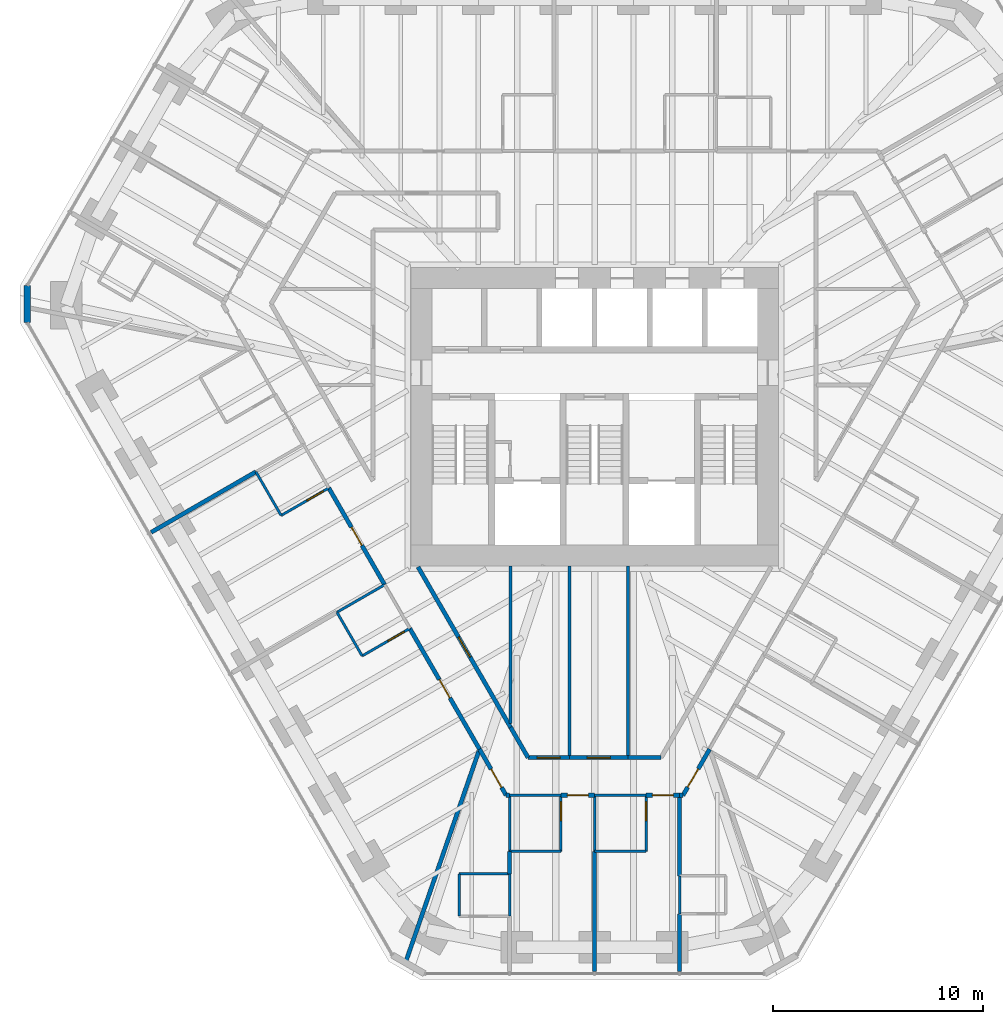
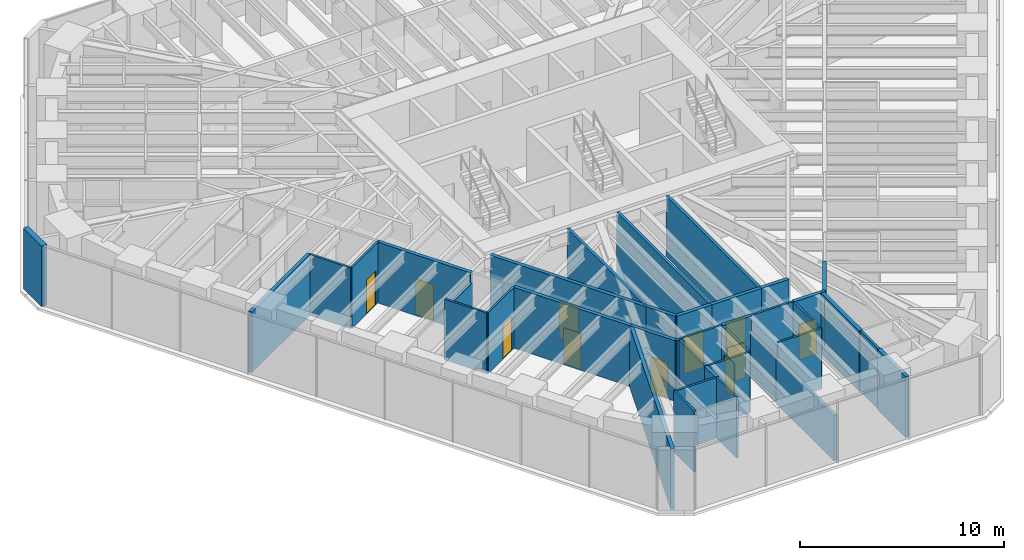
# One storey, part 11 of 17: 40 walls, 13 doors, 13 openings.
"""IFC4 building model written with IfcOpenShell, lengths in metres."""

from ifc_helpers import new_model, si_unit, direction, frame, frame_2d, origin, place, context, subcontext, project, spatial, rectangle, extrude, material, layer, layer_set, type_object, element, fill, save


model = new_model("IFC4")

# Units and contexts
model_context = context("Model", 3, precision=1e-05, world=origin(), true_north=direction((0.0, 1.0)))
body_context = subcontext(model_context, "Body", "Model", "MODEL_VIEW")
ifc_project = project(units=[si_unit("LENGTHUNIT", "METRE"), si_unit("AREAUNIT", "SQUARE_METRE"), si_unit("VOLUMEUNIT", "CUBIC_METRE"), si_unit("PLANEANGLEUNIT", "RADIAN"), si_unit("MASSUNIT", "GRAM", prefix="KILO")], contexts=[model_context])

# Site, building, storey
site_placement = place(None, origin())
site = spatial("IfcSite", under=ifc_project, at=site_placement, CompositionType="ELEMENT")
building_placement = place(site_placement, origin())
building = spatial("IfcBuilding", under=site, at=building_placement, Name="Sandreach Pilgrim Tower", CompositionType="ELEMENT")
storey_placement = place(building_placement, frame((0.0, 0.0, 198.39990234375)))
storey = spatial("IfcBuildingStorey", under=building, at=storey_placement, Name="L49", CompositionType="ELEMENT", Elevation=198.39990234375)

# Walls
ifc_material_1 = material(Name="Gypsum board on steel studs", Category="steel")
ifc_layer_1 = layer(ifc_material_1, 0.14990234375)
ifc_layer_set_1 = layer_set([ifc_layer_1], Name="Back of house wall 150")
wall_type_1 = type_object("IfcWallType", Name="Back of house wall 150", PredefinedType="PARTITIONING", material=ifc_layer_set_1)
wall_1_placement = place(storey_placement, frame((-4.0, -7.10009765625, 0.0), z_axis=(0.0, 0.0, 1.0), x_axis=(0.0, -1.0, 0.0)))
element("IfcWall", 1, at=wall_1_placement, inside=storey, type_object=wall_type_1, Name="Back of house wall L49-074", PredefinedType="PARTITIONING", context=body_context, shape_type="SweptSolid", body=[
    extrude(rectangle(XDim=7.514892578125, YDim=0.14990234375, at=frame_2d((3.75732421875, 0.0))), origin(), (0.0, 0.0, 1.0), 3.64013671875),
])
for number, where, z_axis, x_axis, name in (
    (2, (-1.199951171875, -7.10009765625, 0.0), (0.0, 0.0, 1.0), (0.0, -1.0, 0.0), "Back of house wall L49-083"),
    (3, (1.60009765625, -7.10009765625, 0.0), (0.0, 0.0, 1.0), (0.0, -1.0, 0.0), "Back of house wall L49-089"),
):
    element("IfcWall", number, at=place(storey_placement, frame(where, z_axis=z_axis, x_axis=x_axis)), inside=storey, type_object=wall_type_1, Name=name, PredefinedType="PARTITIONING", context=body_context, shape_type="SweptSolid", body=[
        extrude(rectangle(XDim=9.1298828125, YDim=0.14990234375, at=frame_2d((4.56494140625, 0.0))), origin(), (0.0, 0.0, 1.0), 3.64013671875),
    ])
ifc_material_2 = material(Name="Moisture-resistant gypsum board on steel studs", Category="steel")
ifc_layer_2 = layer(ifc_material_2, 0.1201171875)
ifc_layer_set_2 = layer_set([ifc_layer_2], Name="Bathroom partition 120")
wall_type_2 = type_object("IfcWallType", Name="Bathroom partition 120", PredefinedType="PARTITIONING", material=ifc_layer_set_2)
wall_2_placement = place(storey_placement, frame((-16.1298828125, -2.6201171875, 0.0), z_axis=(0.0, 0.0, 1.0), x_axis=(0.499737123639, -0.866177122335, 0.0)))
element("IfcWall", 4, at=wall_2_placement, inside=storey, type_object=wall_type_2, Name="Bathroom partition L49-028", PredefinedType="PARTITIONING", context=body_context, shape_type="SweptSolid", body=[
    extrude(rectangle(XDim=2.401123046875, YDim=0.1201171875, at=frame_2d((1.20068359375, 0.0))), origin(), (0.0, 0.0, 1.0), 3.64013671875),
])

# Wall, opening, door
wall_3_placement = place(storey_placement, frame((-14.929931640625, -4.699951171875, 0.0), z_axis=(0.0, 0.0, 1.0), x_axis=(0.866114241029, 0.499846097802, 0.0)))
wall_3 = element("IfcWall", 5, at=wall_3_placement, inside=storey, type_object=wall_type_2, Name="Bathroom partition L49-038", PredefinedType="PARTITIONING", context=body_context, shape_type="SweptSolid", body=[
    extrude(rectangle(XDim=2.620849609375, YDim=0.1201171875, at=frame_2d((1.310546875, 0.0))), origin(), (0.0, 0.0, 1.0), 3.64013671875),
])
opening_1_placement = place(wall_3_placement, frame((1.4208984375, 0.0, 0.0)))
opening_1 = element("IfcOpeningElement", 6, at=opening_1_placement, cuts=wall_3, Name="Opening D09-15B", PredefinedType="OPENING", context=body_context, shape_type="SweptSolid", body=[
    extrude(rectangle(XDim=0.89990234375, YDim=2.030029296875, at=frame_2d((0.449951171875, 1.01513671875))), frame((0.0, 0.06005859375, 0.0), z_axis=(0.0, -1.0, 0.0), x_axis=(1.0, 0.0, 0.0)), (0.0, 0.0, 1.0), 0.1201171875),
])
ifc_material_3 = material(Name="Timber door, steel frame", Category="steel")
door_type_1 = type_object("IfcDoorType", Name="Bathroom door", OperationType="SINGLE_SWING_LEFT", PredefinedType="DOOR", material=ifc_material_3)
door_1_placement = place(opening_1_placement, origin())
door_1 = element("IfcDoor", 7, at=door_1_placement, inside=storey, type_object=door_type_1, Name="Door 4915B", OperationType="SINGLE_SWING_RIGHT", OverallHeight=2.030029296875, OverallWidth=0.89990234375, PredefinedType="DOOR", context=body_context, shape_type="SweptSolid", body=[
    extrude(rectangle(XDim=0.89990234375, YDim=2.030029296875, at=frame_2d((0.449951171875, 1.01513671875))), frame((0.0, 0.02490234375, 0.0), z_axis=(0.0, -1.0, 0.0), x_axis=(1.0, 0.0, 0.0)), (0.0, 0.0, 1.0), 0.050048828125),
])
fill(opening_1, door_1)

# Walls
wall_4_placement = place(storey_placement, frame((-12.27001953125, -9.31005859375, 0.0), z_axis=(0.0, 0.0, 1.0), x_axis=(0.499737123639, -0.866177122335, 0.0)))
element("IfcWall", 8, at=wall_4_placement, inside=storey, type_object=wall_type_2, Name="Bathroom partition L49-045", PredefinedType="PARTITIONING", context=body_context, shape_type="SweptSolid", body=[
    extrude(rectangle(XDim=2.401123046875, YDim=0.1201171875, at=frame_2d((1.20068359375, 0.0))), origin(), (0.0, 0.0, 1.0), 3.64013671875),
])
wall_5_placement = place(storey_placement, frame((-12.27001953125, -9.31005859375, 0.0), z_axis=(0.0, 0.0, 1.0), x_axis=(0.866114241029, 0.499846097802, 0.0)))
element("IfcWall", 9, at=wall_5_placement, inside=storey, type_object=wall_type_2, Name="Bathroom partition L49-046", PredefinedType="PARTITIONING", context=body_context, shape_type="SweptSolid", body=[
    extrude(rectangle(XDim=2.620849609375, YDim=0.1201171875, at=frame_2d((1.310546875, 0.0))), origin(), (0.0, 0.0, 1.0), 3.0380859375),
])

# Wall, opening, door
wall_6_placement = place(storey_placement, frame((-11.070068359375, -11.389892578125, 0.0), z_axis=(0.0, 0.0, 1.0), x_axis=(0.866154567199, 0.49977621564, 0.0)))
wall_6 = element("IfcWall", 10, at=wall_6_placement, inside=storey, type_object=wall_type_2, Name="Bathroom partition L49-047", PredefinedType="PARTITIONING", context=body_context, shape_type="SweptSolid", body=[
    extrude(rectangle(XDim=2.620849609375, YDim=0.1201171875, at=frame_2d((1.310546875, 0.0))), origin(), (0.0, 0.0, 1.0), 3.64013671875),
])
opening_2_placement = place(wall_6_placement, frame((1.4208984375, 0.0, 0.0)))
opening_2 = element("IfcOpeningElement", 11, at=opening_2_placement, cuts=wall_6, Name="Opening D09-14B", PredefinedType="OPENING", context=body_context, shape_type="SweptSolid", body=[
    extrude(rectangle(XDim=0.89990234375, YDim=2.030029296875, at=frame_2d((0.449951171875, 1.01513671875))), frame((0.0, 0.06005859375, 0.0), z_axis=(0.0, -1.0, 0.0), x_axis=(1.0, 0.0, 0.0)), (0.0, 0.0, 1.0), 0.1201171875),
])
door_2_placement = place(opening_2_placement, origin())
door_2 = element("IfcDoor", 12, at=door_2_placement, inside=storey, type_object=door_type_1, Name="Door 4914B", OperationType="SINGLE_SWING_RIGHT", OverallHeight=2.030029296875, OverallWidth=0.89990234375, PredefinedType="DOOR", context=body_context, shape_type="SweptSolid", body=[
    extrude(rectangle(XDim=0.89990234375, YDim=2.030029296875, at=frame_2d((0.449951171875, 1.01513671875))), frame((0.0, 0.02490234375, 0.0), z_axis=(0.0, -1.0, 0.0), x_axis=(1.0, 0.0, 0.0)), (0.0, 0.0, 1.0), 0.050048828125),
])
fill(opening_2, door_2)

# Walls
for number, where, z_axis, x_axis, name in (
    (13, (-6.449951171875, -21.77001953125, 0.0), (0.0, 0.0, 1.0), (0.0, -1.0, 0.0), "Bathroom partition L49-059"),
    (14, (-4.050048828125, -23.780029296875, 0.0), (0.0, 0.0, 1.0), (0.0, 1.0, 0.0), "Bathroom partition L49-067"),
):
    element("IfcWall", number, at=place(storey_placement, frame(where, z_axis=z_axis, x_axis=x_axis)), inside=storey, type_object=wall_type_2, Name=name, PredefinedType="PARTITIONING", context=body_context, shape_type="SweptSolid", body=[
        extrude(rectangle(XDim=2.010009765625, YDim=0.1201171875, at=frame_2d((1.0048828125, 0.0))), origin(), (0.0, 0.0, 1.0), 3.64013671875),
    ])
wall_7_placement = place(storey_placement, frame((-4.050048828125, -21.77001953125, 0.0), z_axis=(0.0, 0.0, 1.0), x_axis=(-1.0, 0.0, 0.0)))
element("IfcWall", 15, at=wall_7_placement, inside=storey, type_object=wall_type_2, Name="Bathroom partition L49-068", PredefinedType="PARTITIONING", context=body_context, shape_type="SweptSolid", body=[
    extrude(rectangle(XDim=2.39990234375, YDim=0.1201171875, at=frame_2d((1.199951171875, 0.0))), origin(), (0.0, 0.0, 1.0), 3.64013671875),
])
wall_8_placement = place(storey_placement, frame((-4.050048828125, -20.699951171875, 0.0), z_axis=(0.0, 0.0, 1.0), x_axis=(0.0, 1.0, 0.0)))
element("IfcWall", 16, at=wall_8_placement, inside=storey, type_object=wall_type_2, Name="Bathroom partition L49-070", PredefinedType="PARTITIONING", context=body_context, shape_type="SweptSolid", body=[
    extrude(rectangle(XDim=2.669921875, YDim=0.1201171875, at=frame_2d((1.3349609375, 0.0))), origin(), (0.0, 0.0, 1.0), 3.64013671875),
])
for number, where, z_axis, x_axis, name in (
    (17, (-4.050048828125, -20.699951171875, 0.0), (0.0, 0.0, 1.0), (1.0, 0.0, 0.0), "Bathroom partition L49-071"),
    (18, (-4.050048828125, -18.030029296875, 0.0), (0.0, 0.0, 1.0), (1.0, 0.0, 0.0), "Bathroom partition L49-072"),
):
    element("IfcWall", number, at=place(storey_placement, frame(where, z_axis=z_axis, x_axis=x_axis)), inside=storey, type_object=wall_type_2, Name=name, PredefinedType="PARTITIONING", context=body_context, shape_type="SweptSolid", body=[
        extrude(rectangle(XDim=2.449951171875, YDim=0.1201171875, at=frame_2d((1.22509765625, 0.0))), origin(), (0.0, 0.0, 1.0), 3.64013671875),
    ])

# Wall, opening, door
wall_9_placement = place(storey_placement, frame((-1.60009765625, -20.699951171875, 0.0), z_axis=(0.0, 0.0, 1.0), x_axis=(0.0, 1.0, 0.0)))
wall_9 = element("IfcWall", 19, at=wall_9_placement, inside=storey, type_object=wall_type_2, Name="Bathroom partition L49-080", PredefinedType="PARTITIONING", context=body_context, shape_type="SweptSolid", body=[
    extrude(rectangle(XDim=2.669921875, YDim=0.1201171875, at=frame_2d((1.3349609375, 0.0))), origin(), (0.0, 0.0, 1.0), 3.64013671875),
])
opening_3_placement = place(wall_9_placement, frame((1.469970703125, 0.0, 0.0)))
opening_3 = element("IfcOpeningElement", 20, at=opening_3_placement, cuts=wall_9, Name="Opening D09-12B", PredefinedType="OPENING", context=body_context, shape_type="SweptSolid", body=[
    extrude(rectangle(XDim=0.89990234375, YDim=2.030029296875, at=frame_2d((0.449951171875, 1.01513671875))), frame((0.0, 0.06005859375, 0.0), z_axis=(0.0, -1.0, 0.0), x_axis=(1.0, 0.0, 0.0)), (0.0, 0.0, 1.0), 0.1201171875),
])
door_3_placement = place(opening_3_placement, origin())
door_3 = element("IfcDoor", 21, at=door_3_placement, inside=storey, type_object=door_type_1, Name="Door 4912B", OperationType="SINGLE_SWING_RIGHT", OverallHeight=2.030029296875, OverallWidth=0.89990234375, PredefinedType="DOOR", context=body_context, shape_type="SweptSolid", body=[
    extrude(rectangle(XDim=0.89990234375, YDim=2.030029296875, at=frame_2d((0.449951171875, 1.01513671875))), frame((0.0, 0.02490234375, 0.0), z_axis=(0.0, -1.0, 0.0), x_axis=(1.0, 0.0, 0.0)), (0.0, 0.0, 1.0), 0.050048828125),
])
fill(opening_3, door_3)

# Walls
wall_10_placement = place(storey_placement, frame((0.0, -20.699951171875, 0.0), z_axis=(0.0, 0.0, 1.0), x_axis=(0.0, 1.0, 0.0)))
element("IfcWall", 22, at=wall_10_placement, inside=storey, type_object=wall_type_2, Name="Bathroom partition L49-085", PredefinedType="PARTITIONING", context=body_context, shape_type="SweptSolid", body=[
    extrude(rectangle(XDim=2.669921875, YDim=0.1201171875, at=frame_2d((1.3349609375, 0.0))), origin(), (0.0, 0.0, 1.0), 2.7255859375),
])
for number, where, z_axis, x_axis, name in (
    (23, (0.0, -20.699951171875, 0.0), (0.0, 0.0, 1.0), (1.0, 0.0, 0.0), "Bathroom partition L49-086"),
    (24, (0.0, -18.030029296875, 0.0), (0.0, 0.0, 1.0), (1.0, 0.0, 0.0), "Bathroom partition L49-087"),
):
    element("IfcWall", number, at=place(storey_placement, frame(where, z_axis=z_axis, x_axis=x_axis)), inside=storey, type_object=wall_type_2, Name=name, PredefinedType="PARTITIONING", context=body_context, shape_type="SweptSolid", body=[
        extrude(rectangle(XDim=2.449951171875, YDim=0.1201171875, at=frame_2d((1.22509765625, 0.0))), origin(), (0.0, 0.0, 1.0), 3.64013671875),
    ])

# Wall, opening, door
wall_11_placement = place(storey_placement, frame((2.449951171875, -20.699951171875, 0.0), z_axis=(0.0, 0.0, 1.0), x_axis=(0.0, 1.0, 0.0)))
wall_11 = element("IfcWall", 25, at=wall_11_placement, inside=storey, type_object=wall_type_2, Name="Bathroom partition L49-090", PredefinedType="PARTITIONING", context=body_context, shape_type="SweptSolid", body=[
    extrude(rectangle(XDim=2.669921875, YDim=0.1201171875, at=frame_2d((1.3349609375, 0.0))), origin(), (0.0, 0.0, 1.0), 3.64013671875),
])
opening_4_placement = place(wall_11_placement, frame((1.469970703125, 0.0, 0.0)))
opening_4 = element("IfcOpeningElement", 26, at=opening_4_placement, cuts=wall_11, Name="Opening D09-11B", PredefinedType="OPENING", context=body_context, shape_type="SweptSolid", body=[
    extrude(rectangle(XDim=0.89990234375, YDim=2.030029296875, at=frame_2d((0.449951171875, 1.01513671875))), frame((0.0, 0.06005859375, 0.0), z_axis=(0.0, -1.0, 0.0), x_axis=(1.0, 0.0, 0.0)), (0.0, 0.0, 1.0), 0.1201171875),
])
door_4_placement = place(opening_4_placement, origin())
door_4 = element("IfcDoor", 27, at=door_4_placement, inside=storey, type_object=door_type_1, Name="Door 4911B", OperationType="SINGLE_SWING_RIGHT", OverallHeight=2.030029296875, OverallWidth=0.89990234375, PredefinedType="DOOR", context=body_context, shape_type="SweptSolid", body=[
    extrude(rectangle(XDim=0.89990234375, YDim=2.030029296875, at=frame_2d((0.449951171875, 1.01513671875))), frame((0.0, 0.02490234375, 0.0), z_axis=(0.0, -1.0, 0.0), x_axis=(1.0, 0.0, 0.0)), (0.0, 0.0, 1.0), 0.050048828125),
])
fill(opening_4, door_4)

# Wall
wall_12_placement = place(storey_placement, frame((4.050048828125, -23.679931640625, 0.0), z_axis=(0.0, 0.0, 1.0), x_axis=(0.0, 1.0, 0.0)))
element("IfcWall", 28, at=wall_12_placement, inside=storey, type_object=wall_type_2, Name="Bathroom partition L49-096", PredefinedType="PARTITIONING", context=body_context, shape_type="SweptSolid", body=[
    extrude(rectangle(XDim=1.809814453125, YDim=0.1201171875, at=frame_2d((0.90478515625, 0.0))), origin(), (0.0, 0.0, 1.0), 3.64013671875),
])

# Wall, opening, door
ifc_material_4 = material(Name="Gypsum board on steel studs, two layers each side", Category="steel")
ifc_layer_3 = layer(ifc_material_4, 0.199951171875)
ifc_layer_set_3 = layer_set([ifc_layer_3], Name="Corridor wall 200")
wall_type_3 = type_object("IfcWallType", Name="Corridor wall 200", PredefinedType="PARTITIONING", material=ifc_layer_set_3)
wall_13_placement = place(storey_placement, frame((-12.659912109375, -3.389892578125, 0.0), z_axis=(0.0, 0.0, 1.0), x_axis=(0.499755544815, -0.866166494057, 0.0)))
wall_13 = element("IfcWall", 29, at=wall_13_placement, inside=storey, type_object=wall_type_3, Name="Corridor wall L49-043", PredefinedType="PARTITIONING", context=body_context, shape_type="SweptSolid", body=[
    extrude(rectangle(XDim=5.322509765625, YDim=0.199951171875, at=frame_2d((2.6611328125, 0.0))), origin(), (0.0, 0.0, 1.0), 3.64013671875),
])
opening_5_placement = place(wall_13_placement, frame((2.1611328125, 0.0, 0.0)))
opening_5 = element("IfcOpeningElement", 30, at=opening_5_placement, cuts=wall_13, Name="Opening D10-15", PredefinedType="OPENING", context=body_context, shape_type="SweptSolid", body=[
    extrude(rectangle(XDim=1.0, YDim=2.1298828125, at=frame_2d((0.5, 1.06494140625))), frame((0.0, 0.10009765625, 0.0), z_axis=(0.0, -1.0, 0.0), x_axis=(1.0, 0.0, 0.0)), (0.0, 0.0, 1.0), 0.199951171875),
])
ifc_material_5 = material(Name="Steel door and frame", Category="steel")
door_type_2 = type_object("IfcDoorType", Name="Guest room entry door", OperationType="SINGLE_SWING_LEFT", PredefinedType="DOOR", material=ifc_material_5)
door_5_placement = place(opening_5_placement, origin())
door_5 = element("IfcDoor", 31, at=door_5_placement, inside=storey, type_object=door_type_2, Name="Door 4915", OperationType="SINGLE_SWING_LEFT", OverallHeight=2.1298828125, OverallWidth=1.0, PredefinedType="DOOR", context=body_context, shape_type="SweptSolid", body=[
    extrude(rectangle(XDim=1.0, YDim=2.1298828125, at=frame_2d((0.5, 1.06494140625))), frame((0.0, 0.02490234375, 0.0), z_axis=(0.0, -1.0, 0.0), x_axis=(1.0, 0.0, 0.0)), (0.0, 0.0, 1.0), 0.050048828125),
])
fill(opening_5, door_5)

wall_14_placement = place(storey_placement, frame((-8.802001953125, -10.081298828125, 0.0), z_axis=(0.0, 0.0, 1.0), x_axis=(0.500334569781, -0.865832153643, 0.0)))
wall_14 = element("IfcWall", 32, at=wall_14_placement, inside=storey, type_object=wall_type_3, Name="Corridor wall L49-057", PredefinedType="PARTITIONING", context=body_context, shape_type="SweptSolid", body=[
    extrude(rectangle(XDim=6.6396484375, YDim=0.199951171875, at=frame_2d((3.31982421875, 0.0))), origin(), (0.0, 0.0, 1.0), 3.64013671875),
])
opening_6_placement = place(wall_14_placement, frame((2.81982421875, 0.0, 0.0)))
opening_6 = element("IfcOpeningElement", 33, at=opening_6_placement, cuts=wall_14, Name="Opening D10-14", PredefinedType="OPENING", context=body_context, shape_type="SweptSolid", body=[
    extrude(rectangle(XDim=1.0, YDim=2.1298828125, at=frame_2d((0.5, 1.06494140625))), frame((0.0, 0.10009765625, 0.0), z_axis=(0.0, -1.0, 0.0), x_axis=(1.0, 0.0, 0.0)), (0.0, 0.0, 1.0), 0.199951171875),
])
door_6_placement = place(opening_6_placement, origin())
door_6 = element("IfcDoor", 34, at=door_6_placement, inside=storey, type_object=door_type_2, Name="Door 4914", OperationType="SINGLE_SWING_LEFT", OverallHeight=2.1298828125, OverallWidth=1.0, PredefinedType="DOOR", context=body_context, shape_type="SweptSolid", body=[
    extrude(rectangle(XDim=1.0, YDim=2.1298828125, at=frame_2d((0.5, 1.06494140625))), frame((0.0, 0.02490234375, 0.0), z_axis=(0.0, -1.0, 0.0), x_axis=(1.0, 0.0, 0.0)), (0.0, 0.0, 1.0), 0.050048828125),
])
fill(opening_6, door_6)

wall_15_placement = place(storey_placement, frame((-5.47998046875, -15.830078125, 0.0), z_axis=(0.0, 0.0, 1.0), x_axis=(0.499963722229, -0.866046347752, 0.0)))
wall_15 = element("IfcWall", 35, at=wall_15_placement, inside=storey, type_object=wall_type_3, Name="Corridor wall L49-060", PredefinedType="PARTITIONING", context=body_context, shape_type="SweptSolid", body=[
    extrude(rectangle(XDim=2.540283203125, YDim=0.199951171875, at=frame_2d((1.27001953125, 0.0))), origin(), (0.0, 0.0, 1.0), 3.64013671875),
])
opening_7_placement = place(wall_15_placement, frame((1.10009765625, 0.0, 0.0)))
opening_7 = element("IfcOpeningElement", 36, at=opening_7_placement, cuts=wall_15, Name="Opening D10-13", PredefinedType="OPENING", context=body_context, shape_type="SweptSolid", body=[
    extrude(rectangle(XDim=1.0, YDim=2.1298828125, at=frame_2d((0.5, 1.06494140625))), frame((0.0, 0.10009765625, 0.0), z_axis=(0.0, -1.0, 0.0), x_axis=(1.0, 0.0, 0.0)), (0.0, 0.0, 1.0), 0.199951171875),
])
door_7_placement = place(opening_7_placement, origin())
door_7 = element("IfcDoor", 37, at=door_7_placement, inside=storey, type_object=door_type_2, Name="Door 4913", OperationType="SINGLE_SWING_RIGHT", OverallHeight=2.1298828125, OverallWidth=1.0, PredefinedType="DOOR", context=body_context, shape_type="SweptSolid", body=[
    extrude(rectangle(XDim=1.0, YDim=2.1298828125, at=frame_2d((0.5, 1.06494140625))), frame((0.0, 0.02490234375, 0.0), z_axis=(0.0, -1.0, 0.0), x_axis=(1.0, 0.0, 0.0)), (0.0, 0.0, 1.0), 0.050048828125),
])
fill(opening_7, door_7)

# Wall
wall_16_placement = place(storey_placement, frame((-4.2099609375, -18.030029296875, 0.0), z_axis=(0.0, 0.0, 1.0), x_axis=(1.0, 0.0, 0.0)))
element("IfcWall", 38, at=wall_16_placement, inside=storey, type_object=wall_type_3, Name="Corridor wall L49-065", PredefinedType="PARTITIONING", context=body_context, shape_type="SweptSolid", body=[
    extrude(rectangle(XDim=0.159912109375, YDim=0.199951171875, at=frame_2d((0.080078125, 0.0))), origin(), (0.0, 0.0, 1.0), 3.64013671875),
])

# Wall, opening, door
wall_17_placement = place(storey_placement, frame((-4.0, -14.7900390625, 0.0), z_axis=(0.0, 0.0, 1.0), x_axis=(-0.499916512745, 0.866073599808, 0.0)))
wall_17 = element("IfcWall", 39, at=wall_17_placement, inside=storey, type_object=wall_type_3, Name="Corridor wall L49-073", PredefinedType="PARTITIONING", context=body_context, shape_type="SweptSolid", body=[
    extrude(rectangle(XDim=8.8212890625, YDim=0.199951171875, at=frame_2d((4.41064453125, 0.0))), origin(), (0.0, 0.0, 1.0), 3.64013671875),
])
opening_8_placement = place(wall_17_placement, frame((3.860595703125, 0.0, 0.0)))
opening_8 = element("IfcOpeningElement", 40, at=opening_8_placement, cuts=wall_17, Name="Opening D11H-S1", PredefinedType="OPENING", context=body_context, shape_type="SweptSolid", body=[
    extrude(rectangle(XDim=1.10009765625, YDim=2.199951171875, at=frame_2d((0.550048828125, 1.10009765625))), frame((0.0, 0.10009765625, 0.0), z_axis=(0.0, -1.0, 0.0), x_axis=(1.0, 0.0, 0.0)), (0.0, 0.0, 1.0), 0.199951171875),
])
ifc_material_6 = material(Name="Steel door and frame", Category="steel")
door_type_3 = type_object("IfcDoorType", Name="Back of house door", OperationType="SINGLE_SWING_LEFT", PredefinedType="DOOR", material=ifc_material_6)
door_8_placement = place(opening_8_placement, origin())
door_8 = element("IfcDoor", 41, at=door_8_placement, inside=storey, type_object=door_type_3, Name="Door 49S1", OperationType="SINGLE_SWING_LEFT", OverallHeight=2.199951171875, OverallWidth=1.10009765625, PredefinedType="DOOR", context=body_context, shape_type="SweptSolid", body=[
    extrude(rectangle(XDim=1.10009765625, YDim=2.199951171875, at=frame_2d((0.550048828125, 1.10009765625))), frame((0.0, 0.02490234375, 0.0), z_axis=(0.0, -1.0, 0.0), x_axis=(1.0, 0.0, 0.0)), (0.0, 0.0, 1.0), 0.050048828125),
])
fill(opening_8, door_8)

# Wall
wall_18_placement = place(storey_placement, frame((-3.169921875, -16.22998046875, 0.0), z_axis=(0.0, 0.0, 1.0), x_axis=(-0.499425709803, 0.866356716594, 0.0)))
element("IfcWall", 42, at=wall_18_placement, inside=storey, type_object=wall_type_3, Name="Corridor wall L49-075", PredefinedType="PARTITIONING", context=body_context, shape_type="SweptSolid", body=[
    extrude(rectangle(XDim=1.662109375, YDim=0.199951171875, at=frame_2d((0.8310546875, 0.0))), origin(), (0.0, 0.0, 1.0), 3.64013671875),
])

# Wall, opening, door
wall_19_placement = place(storey_placement, frame((-1.60009765625, -18.030029296875, 0.0), z_axis=(0.0, 0.0, 1.0), x_axis=(1.0, 0.0, 0.0)))
wall_19 = element("IfcWall", 43, at=wall_19_placement, inside=storey, type_object=wall_type_3, Name="Corridor wall L49-081", PredefinedType="PARTITIONING", context=body_context, shape_type="SweptSolid", body=[
    extrude(rectangle(XDim=1.60009765625, YDim=0.199951171875, at=frame_2d((0.800048828125, 0.0))), origin(), (0.0, 0.0, 1.0), 3.64013671875),
])
opening_9_placement = place(wall_19_placement, frame((0.300048828125, 0.0, 0.0)))
opening_9 = element("IfcOpeningElement", 44, at=opening_9_placement, cuts=wall_19, Name="Opening D10-12", PredefinedType="OPENING", context=body_context, shape_type="SweptSolid", body=[
    extrude(rectangle(XDim=1.0, YDim=2.1298828125, at=frame_2d((0.5, 1.06494140625))), frame((0.0, 0.10009765625, 0.0), z_axis=(0.0, -1.0, 0.0), x_axis=(1.0, 0.0, 0.0)), (0.0, 0.0, 1.0), 0.199951171875),
])
door_9_placement = place(opening_9_placement, origin())
door_9 = element("IfcDoor", 45, at=door_9_placement, inside=storey, type_object=door_type_2, Name="Door 4912", OperationType="SINGLE_SWING_LEFT", OverallHeight=2.1298828125, OverallWidth=1.0, PredefinedType="DOOR", context=body_context, shape_type="SweptSolid", body=[
    extrude(rectangle(XDim=1.0, YDim=2.1298828125, at=frame_2d((0.5, 1.06494140625))), frame((0.0, 0.02490234375, 0.0), z_axis=(0.0, -1.0, 0.0), x_axis=(1.0, 0.0, 0.0)), (0.0, 0.0, 1.0), 0.050048828125),
])
fill(opening_9, door_9)

wall_20_placement = place(storey_placement, frame((-1.199951171875, -16.22998046875, 0.0), z_axis=(0.0, 0.0, 1.0), x_axis=(-1.0, 0.0, 0.0)))
wall_20 = element("IfcWall", 46, at=wall_20_placement, inside=storey, type_object=wall_type_3, Name="Corridor wall L49-082", PredefinedType="PARTITIONING", context=body_context, shape_type="SweptSolid", body=[
    extrude(rectangle(XDim=1.969970703125, YDim=0.199951171875, at=frame_2d((0.98486328125, 0.0))), origin(), (0.0, 0.0, 1.0), 3.64013671875),
])
opening_10_placement = place(wall_20_placement, frame((0.43505859375, 0.0, 0.0)))
opening_10 = element("IfcOpeningElement", 47, at=opening_10_placement, cuts=wall_20, Name="Opening D11H-S2", PredefinedType="OPENING", context=body_context, shape_type="SweptSolid", body=[
    extrude(rectangle(XDim=1.10009765625, YDim=2.199951171875, at=frame_2d((0.550048828125, 1.10009765625))), frame((0.0, 0.10009765625, 0.0), z_axis=(0.0, -1.0, 0.0), x_axis=(1.0, 0.0, 0.0)), (0.0, 0.0, 1.0), 0.199951171875),
])
door_10_placement = place(opening_10_placement, origin())
door_10 = element("IfcDoor", 48, at=door_10_placement, inside=storey, type_object=door_type_3, Name="Door 49S2", OperationType="SINGLE_SWING_LEFT", OverallHeight=2.199951171875, OverallWidth=1.10009765625, PredefinedType="DOOR", context=body_context, shape_type="SweptSolid", body=[
    extrude(rectangle(XDim=1.10009765625, YDim=2.199951171875, at=frame_2d((0.550048828125, 1.10009765625))), frame((0.0, 0.02490234375, 0.0), z_axis=(0.0, -1.0, 0.0), x_axis=(1.0, 0.0, 0.0)), (0.0, 0.0, 1.0), 0.050048828125),
])
fill(opening_10, door_10)

wall_21_placement = place(storey_placement, frame((1.60009765625, -16.22998046875, 0.0), z_axis=(0.0, 0.0, 1.0), x_axis=(-1.0, 0.0, 0.0)))
wall_21 = element("IfcWall", 49, at=wall_21_placement, inside=storey, type_object=wall_type_3, Name="Corridor wall L49-088", PredefinedType="PARTITIONING", context=body_context, shape_type="SweptSolid", body=[
    extrude(rectangle(XDim=2.800048828125, YDim=0.199951171875, at=frame_2d((1.39990234375, 0.0))), origin(), (0.0, 0.0, 1.0), 3.64013671875),
])
opening_11_placement = place(wall_21_placement, frame((0.85009765625, 0.0, 0.0)))
opening_11 = element("IfcOpeningElement", 50, at=opening_11_placement, cuts=wall_21, Name="Opening D11H-S3", PredefinedType="OPENING", context=body_context, shape_type="SweptSolid", body=[
    extrude(rectangle(XDim=1.10009765625, YDim=2.199951171875, at=frame_2d((0.550048828125, 1.10009765625))), frame((0.0, 0.10009765625, 0.0), z_axis=(0.0, -1.0, 0.0), x_axis=(1.0, 0.0, 0.0)), (0.0, 0.0, 1.0), 0.199951171875),
])
door_11_placement = place(opening_11_placement, origin())
door_11 = element("IfcDoor", 51, at=door_11_placement, inside=storey, type_object=door_type_3, Name="Door 49S3", OperationType="SINGLE_SWING_LEFT", OverallHeight=2.199951171875, OverallWidth=1.10009765625, PredefinedType="DOOR", context=body_context, shape_type="SweptSolid", body=[
    extrude(rectangle(XDim=1.10009765625, YDim=2.199951171875, at=frame_2d((0.550048828125, 1.10009765625))), frame((0.0, 0.02490234375, 0.0), z_axis=(0.0, -1.0, 0.0), x_axis=(1.0, 0.0, 0.0)), (0.0, 0.0, 1.0), 0.050048828125),
])
fill(opening_11, door_11)

wall_22_placement = place(storey_placement, frame((2.449951171875, -18.030029296875, 0.0), z_axis=(0.0, 0.0, 1.0), x_axis=(1.0, 0.0, 0.0)))
wall_22 = element("IfcWall", 52, at=wall_22_placement, inside=storey, type_object=wall_type_3, Name="Corridor wall L49-091", PredefinedType="PARTITIONING", context=body_context, shape_type="SweptSolid", body=[
    extrude(rectangle(XDim=1.60009765625, YDim=0.199951171875, at=frame_2d((0.800048828125, 0.0))), origin(), (0.0, 0.0, 1.0), 3.64013671875),
])
opening_12_placement = place(wall_22_placement, frame((0.300048828125, 0.0, 0.0)))
opening_12 = element("IfcOpeningElement", 53, at=opening_12_placement, cuts=wall_22, Name="Opening D10-11", PredefinedType="OPENING", context=body_context, shape_type="SweptSolid", body=[
    extrude(rectangle(XDim=1.0, YDim=2.1298828125, at=frame_2d((0.5, 1.06494140625))), frame((0.0, 0.10009765625, 0.0), z_axis=(0.0, -1.0, 0.0), x_axis=(1.0, 0.0, 0.0)), (0.0, 0.0, 1.0), 0.199951171875),
])
door_12_placement = place(opening_12_placement, origin())
door_12 = element("IfcDoor", 54, at=door_12_placement, inside=storey, type_object=door_type_2, Name="Door 4911", OperationType="SINGLE_SWING_LEFT", OverallHeight=2.1298828125, OverallWidth=1.0, PredefinedType="DOOR", context=body_context, shape_type="SweptSolid", body=[
    extrude(rectangle(XDim=1.0, YDim=2.1298828125, at=frame_2d((0.5, 1.06494140625))), frame((0.0, 0.02490234375, 0.0), z_axis=(0.0, -1.0, 0.0), x_axis=(1.0, 0.0, 0.0)), (0.0, 0.0, 1.0), 0.050048828125),
])
fill(opening_12, door_12)

# Walls
wall_23_placement = place(storey_placement, frame((3.169921875, -16.22998046875, 0.0), z_axis=(0.0, 0.0, 1.0), x_axis=(-1.0, 0.0, 0.0)))
element("IfcWall", 55, at=wall_23_placement, inside=storey, type_object=wall_type_3, Name="Corridor wall L49-092", PredefinedType="PARTITIONING", context=body_context, shape_type="SweptSolid", body=[
    extrude(rectangle(XDim=1.56982421875, YDim=0.199951171875, at=frame_2d((0.784912109375, 0.0))), origin(), (0.0, 0.0, 1.0), 3.64013671875),
])
wall_24_placement = place(storey_placement, frame((4.050048828125, -18.030029296875, 0.0), z_axis=(0.0, 0.0, 1.0), x_axis=(1.0, 0.0, 0.0)))
element("IfcWall", 56, at=wall_24_placement, inside=storey, type_object=wall_type_3, Name="Corridor wall L49-099", PredefinedType="PARTITIONING", context=body_context, shape_type="SweptSolid", body=[
    extrude(rectangle(XDim=0.159912109375, YDim=0.199951171875, at=frame_2d((0.080078125, 0.0))), origin(), (0.0, 0.0, 1.0), 3.64013671875),
])

# Wall, opening, door
wall_25_placement = place(storey_placement, frame((4.2099609375, -18.030029296875, 0.0), z_axis=(0.0, 0.0, 1.0), x_axis=(0.499963722229, 0.866046347752, 0.0)))
wall_25 = element("IfcWall", 57, at=wall_25_placement, inside=storey, type_object=wall_type_3, Name="Corridor wall L49-100", PredefinedType="PARTITIONING", context=body_context, shape_type="SweptSolid", body=[
    extrude(rectangle(XDim=2.540283203125, YDim=0.199951171875, at=frame_2d((1.27001953125, 0.0))), origin(), (0.0, 0.0, 1.0), 3.64013671875),
])
opening_13_placement = place(wall_25_placement, frame((0.449951171875, 0.0, 0.0)))
opening_13 = element("IfcOpeningElement", 58, at=opening_13_placement, cuts=wall_25, Name="Opening D10-10", PredefinedType="OPENING", context=body_context, shape_type="SweptSolid", body=[
    extrude(rectangle(XDim=1.0, YDim=2.1298828125, at=frame_2d((0.5, 1.06494140625))), frame((0.0, 0.10009765625, 0.0), z_axis=(0.0, -1.0, 0.0), x_axis=(1.0, 0.0, 0.0)), (0.0, 0.0, 1.0), 0.199951171875),
])
door_13_placement = place(opening_13_placement, origin())
door_13 = element("IfcDoor", 59, at=door_13_placement, inside=storey, type_object=door_type_2, Name="Door 4910", OperationType="SINGLE_SWING_LEFT", OverallHeight=2.1298828125, OverallWidth=1.0, PredefinedType="DOOR", context=body_context, shape_type="SweptSolid", body=[
    extrude(rectangle(XDim=1.0, YDim=2.1298828125, at=frame_2d((0.5, 1.06494140625))), frame((0.0, 0.02490234375, 0.0), z_axis=(0.0, -1.0, 0.0), x_axis=(1.0, 0.0, 0.0)), (0.0, 0.0, 1.0), 0.050048828125),
])
fill(opening_13, door_13)

# Walls
ifc_material_7 = material(Name="Double steel stud acoustic wall, gypsum board", Category="steel")
ifc_layer_4 = layer(ifc_material_7, 0.199951171875)
ifc_layer_set_4 = layer_set([ifc_layer_4], Name="Party wall 200")
wall_type_4 = type_object("IfcWallType", Name="Party wall 200", PredefinedType="PARTITIONING", material=ifc_layer_set_4)
wall_26_placement = place(storey_placement, frame((-21.115966796875, -5.5, 0.0), z_axis=(0.0, 0.0, 1.0), x_axis=(0.865919350456, 0.50018364478, 0.0)))
element("IfcWall", 60, at=wall_26_placement, inside=storey, type_object=wall_type_4, Name="Party wall L49-008", PredefinedType="PARTITIONING", context=body_context, shape_type="SweptSolid", body=[
    extrude(rectangle(XDim=5.758056640625, YDim=0.199951171875, at=frame_2d((2.87890625, 0.0))), origin(), (0.0, 0.0, 1.0), 3.64013671875),
])
wall_27_placement = place(storey_placement, frame((-9.01025390625, -26.01171875, 0.0), z_axis=(0.0, 0.0, 1.0), x_axis=(0.327591414813, 0.944819488019, 0.0)))
element("IfcWall", 61, at=wall_27_placement, inside=storey, type_object=wall_type_4, Name="Party wall L49-056", PredefinedType="PARTITIONING", context=body_context, shape_type="SweptSolid", body=[
    extrude(rectangle(XDim=10.67138671875, YDim=0.199951171875, at=frame_2d((5.335693359375, 0.0))), origin(), (0.0, 0.0, 1.0), 3.64013671875),
])
wall_28_placement = place(storey_placement, frame((-4.050048828125, -21.77001953125, 0.0), z_axis=(0.0, 0.0, 1.0), x_axis=(0.0, 1.0, 0.0)))
element("IfcWall", 62, at=wall_28_placement, inside=storey, type_object=wall_type_4, Name="Party wall L49-069", PredefinedType="PARTITIONING", context=body_context, shape_type="SweptSolid", body=[
    extrude(rectangle(XDim=1.070068359375, YDim=0.199951171875, at=frame_2d((0.53515625, 0.0))), origin(), (0.0, 0.0, 1.0), 3.64013671875),
])
wall_29_placement = place(storey_placement, frame((0.0, -26.409912109375, 0.0), z_axis=(0.0, 0.0, 1.0), x_axis=(0.0, 1.0, 0.0)))
element("IfcWall", 63, at=wall_29_placement, inside=storey, type_object=wall_type_4, Name="Party wall L49-084", PredefinedType="PARTITIONING", context=body_context, shape_type="SweptSolid", body=[
    extrude(rectangle(XDim=5.7099609375, YDim=0.199951171875, at=frame_2d((2.85498046875, 0.0))), origin(), (0.0, 0.0, 1.0), 2.7255859375),
])
wall_30_placement = place(storey_placement, frame((4.050048828125, -26.409912109375, 0.0), z_axis=(0.0, 0.0, 1.0), x_axis=(0.0, 1.0, 0.0)))
element("IfcWall", 64, at=wall_30_placement, inside=storey, type_object=wall_type_4, Name="Party wall L49-095", PredefinedType="PARTITIONING", context=body_context, shape_type="SweptSolid", body=[
    extrude(rectangle(XDim=2.72998046875, YDim=0.199951171875, at=frame_2d((1.364990234375, 0.0))), origin(), (0.0, 0.0, 1.0), 3.64013671875),
])
wall_31_placement = place(storey_placement, frame((4.050048828125, -21.8701171875, 0.0), z_axis=(0.0, 0.0, 1.0), x_axis=(0.0, 1.0, 0.0)))
element("IfcWall", 65, at=wall_31_placement, inside=storey, type_object=wall_type_4, Name="Party wall L49-098", PredefinedType="PARTITIONING", context=body_context, shape_type="SweptSolid", body=[
    extrude(rectangle(XDim=3.830078125, YDim=0.199951171875, at=frame_2d((1.9150390625, 0.0))), origin(), (0.0, 0.0, 1.0), 3.64013671875),
])
ifc_material_8 = material(Name="Terracotta rainscreen on concrete", Category="masonry")
ifc_layer_5 = layer(ifc_material_8, 0.300048828125)
ifc_layer_set_5 = layer_set([ifc_layer_5], Name="Terracotta chamfer pier")
wall_type_5 = type_object("IfcWallType", Name="Terracotta chamfer pier", PredefinedType="SOLIDWALL", material=ifc_layer_set_5)
wall_32_placement = place(storey_placement, frame((-27.02001953125, 4.47998046875, 0.0), z_axis=(0.0, 0.0, 1.0), x_axis=(0.0, 1.0, 0.0)))
element("IfcWall", 66, at=wall_32_placement, inside=storey, type_object=wall_type_5, Name="Chamfer pier L49 SW", PredefinedType="SOLIDWALL", context=body_context, shape_type="SweptSolid", body=[
    extrude(rectangle(XDim=1.77001953125, YDim=0.300048828125, at=frame_2d((0.885009765625, 0.0))), origin(), (0.0, 0.0, 1.0), 3.64013671875),
])

save(model, "model.ifc")
